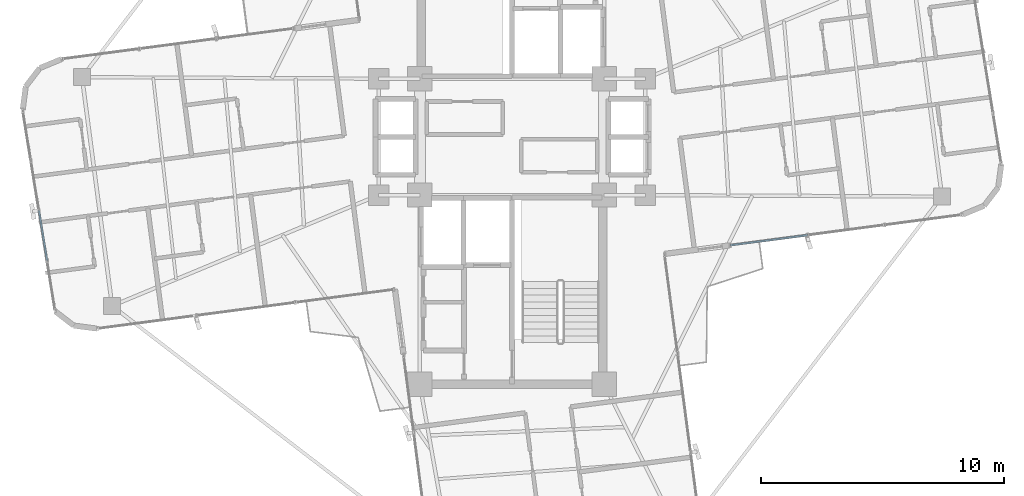
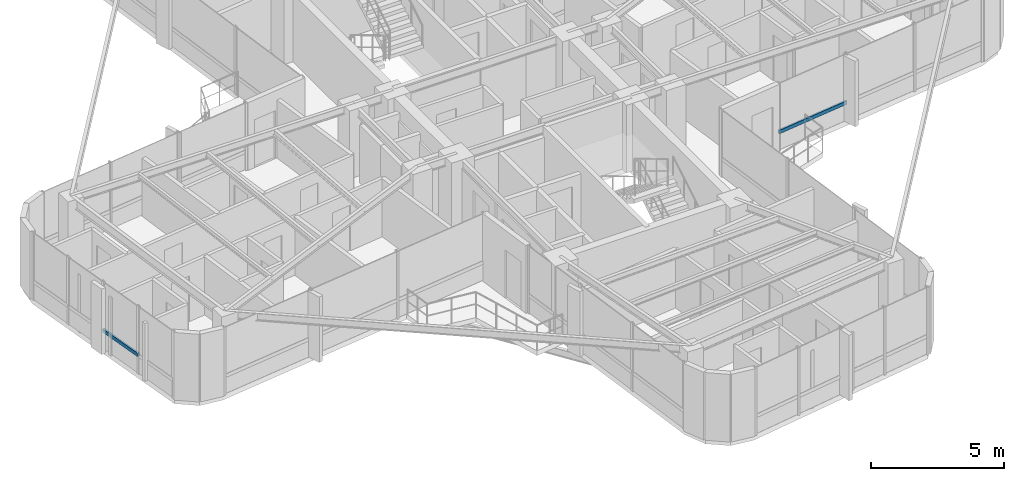
# One storey, part 6 of 23: 2 members, 2 elements without a shape of their own.
"""IFC4 building model written with IfcOpenShell, lengths in metres."""

from ifc_helpers import new_model, si_unit, direction, frame, origin, origin_2d, place, context, subcontext, project, spatial, hollow_rectangle, extrude, source, transform, mapped, material, material_profile, profile_set, type_object, element, aggregate, save


model = new_model("IFC4")

# Units and contexts
model_context = context("Model", 3, precision=1e-05, world=origin(), true_north=direction((0.0, 1.0)))
body_context = subcontext(model_context, "Body", "Model", "MODEL_VIEW")
ifc_project = project(units=[si_unit("LENGTHUNIT", "METRE"), si_unit("AREAUNIT", "SQUARE_METRE"), si_unit("VOLUMEUNIT", "CUBIC_METRE"), si_unit("PLANEANGLEUNIT", "RADIAN"), si_unit("MASSUNIT", "GRAM", prefix="KILO")], contexts=[model_context])

# Site, building, storey
site_placement = place(None, origin())
site = spatial("IfcSite", under=ifc_project, at=site_placement, CompositionType="ELEMENT")
building_placement = place(site_placement, origin())
building = spatial("IfcBuilding", under=site, at=building_placement, Name="Sahyath Konkavel Grand Hotel", CompositionType="ELEMENT")
storey_placement = place(building_placement, frame((0.0, 0.0, 254.550048828125)))
storey = spatial("IfcBuildingStorey", under=building, at=storey_placement, Name="L71", CompositionType="ELEMENT", Elevation=254.550048828125)

# Curtain wall, member
ifc_material_1 = material(Name="Anodised Bronze Aluminium & Low-E Glazing", Category="aluminium")
curtain_wall_type = type_object("IfcCurtainWallType", Name="CW-ZONE4", PredefinedType="NOTDEFINED", material=ifc_material_1)
curtain_wall_1_placement = place(storey_placement, origin())
curtain_wall_1 = element("IfcCurtainWall", 1, at=curtain_wall_1_placement, inside=storey, type_object=curtain_wall_type, Name="L71 Unitised Curtain Wall F0", PredefinedType="NOTDEFINED")
ifc_material_2 = material(Name="Anodised Bronze Aluminium", Category="aluminium")
ifc_material_profile = material_profile(ifc_material_2, hollow_rectangle(XDim=0.080078125, YDim=0.159912109375, WallThickness=0.006103515625, at=origin_2d()), Name="RHS 160x80x6")
ifc_profile_set = profile_set([ifc_material_profile], Name="Anodised Bronze Aluminium")
member_type = type_object("IfcMemberType", Name="CW-TRN-160", PredefinedType="USERDEFINED", material=ifc_profile_set)
shared_shape_1 = source(origin(), body_context, "Body", "SweptSolid", [
    extrude(hollow_rectangle(XDim=0.080078125, YDim=0.159912109375, WallThickness=0.006103515625, at=origin_2d()), origin(), (0.0, 0.0, 1.0), 3.206298828125),
])
member_1_placement = place(storey_placement, frame((9.004150390625, -4.467041015625, 0.849853515625), z_axis=(0.991447296707, 0.130507692693, 0.0), x_axis=(-0.130507692693, 0.991447296707, 0.0)))
member_1 = element("IfcMember", 2, at=member_1_placement, type_object=member_type, Name="L71 Curtain Wall Transom F0-0-spandrel", ObjectType="TRANSOM", PredefinedType="USERDEFINED", context=body_context, shape_type="MappedRepresentation", body=[
    mapped(shared_shape_1, transform((0.0, 0.0, 0.0), scale=1.0)),
])
aggregate(curtain_wall_1, [member_1])

curtain_wall_2_placement = place(storey_placement, origin())
curtain_wall_2 = element("IfcCurtainWall", 3, at=curtain_wall_2_placement, inside=storey, type_object=curtain_wall_type, Name="L71 Unitised Curtain Wall F20", PredefinedType="NOTDEFINED")
shared_shape_2 = source(origin(), body_context, "Body", "SweptSolid", [
    extrude(hollow_rectangle(XDim=0.080078125, YDim=0.159912109375, WallThickness=0.006103515625, at=origin_2d()), origin(), (0.0, 0.0, 1.0), 2.08935546875),
])
member_2_placement = place(storey_placement, frame((-19.5, -3.03369140625, 0.849853515625), z_axis=(0.159621859041, -0.987178232193, 0.0), x_axis=(0.987178232193, 0.159621859041, 0.0)))
member_2 = element("IfcMember", 4, at=member_2_placement, type_object=member_type, Name="L71 Curtain Wall Transom F20-2-spandrel", ObjectType="TRANSOM", PredefinedType="USERDEFINED", context=body_context, shape_type="MappedRepresentation", body=[
    mapped(shared_shape_2, transform((0.0, 0.0, 0.0), scale=1.0)),
])
aggregate(curtain_wall_2, [member_2])

save(model, "model.ifc")
